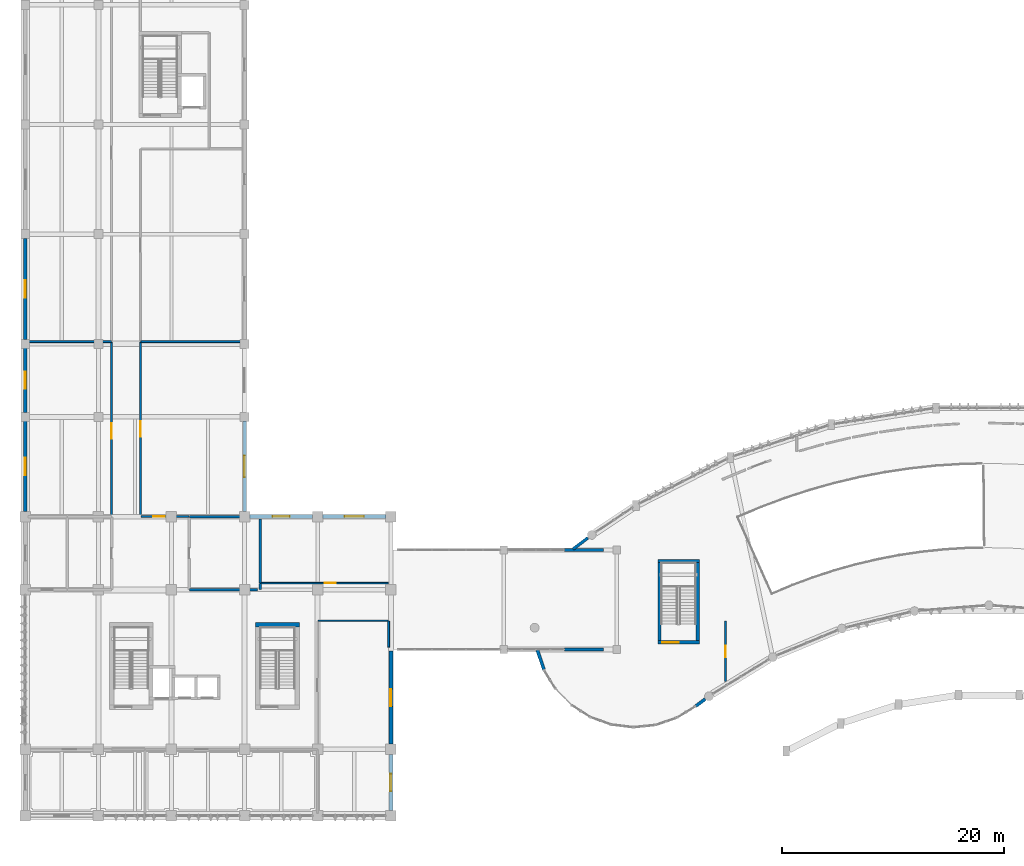
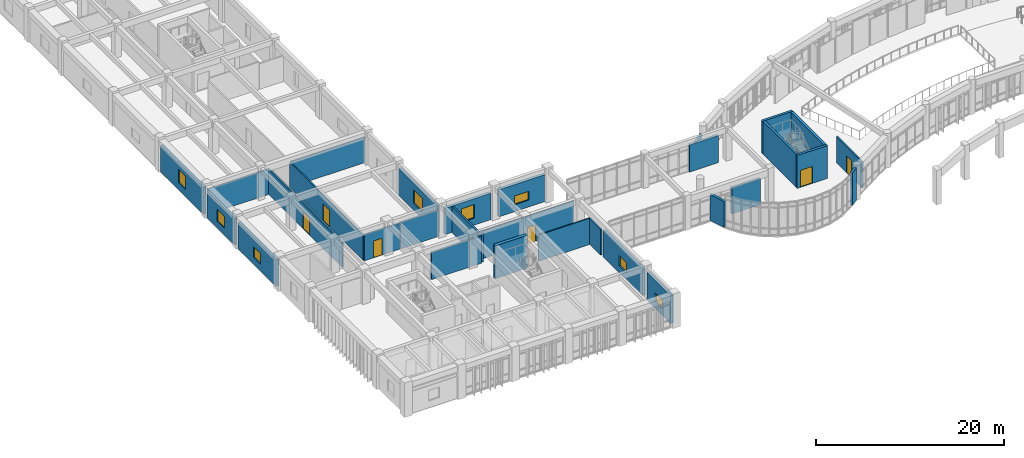
# One storey, part 43 of 57: 31 walls, 8 windows, 6 doors, 14 openings.
"""IFC4 building model written with IfcOpenShell, lengths in metres."""

from ifc_helpers import new_model, si_unit, direction, frame, frame_2d, origin, place, context, subcontext, project, spatial, rectangle, extrude, material, layer, layer_set, type_object, element, fill, save


model = new_model("IFC4")

# Units and contexts
model_context = context("Model", 3, precision=1e-05, world=origin(), true_north=direction((0.0, 1.0)))
body_context = subcontext(model_context, "Body", "Model", "MODEL_VIEW")
ifc_project = project(units=[si_unit("LENGTHUNIT", "METRE"), si_unit("AREAUNIT", "SQUARE_METRE"), si_unit("VOLUMEUNIT", "CUBIC_METRE"), si_unit("PLANEANGLEUNIT", "RADIAN"), si_unit("MASSUNIT", "GRAM", prefix="KILO")], contexts=[model_context])

# Site, building, storey
site_placement = place(None, origin())
site = spatial("IfcSite", under=ifc_project, at=site_placement, CompositionType="ELEMENT")
building_placement = place(site_placement, origin())
building = spatial("IfcBuilding", under=site, at=building_placement, Name="Miralva Faculty of Natural Sciences", CompositionType="ELEMENT")
storey_placement = place(building_placement, frame((0.0, 0.0, 15.0)))
storey = spatial("IfcBuildingStorey", under=building, at=storey_placement, Name="L03", CompositionType="ELEMENT", Elevation=15.0)

# Wall
ifc_material_1 = material(Name="Concrete C50/60", Category="concrete")
ifc_layer_1 = layer(ifc_material_1, 0.39990234375, Name="WL-CW01")
ifc_layer_set_1 = layer_set([ifc_layer_1], Name="Concrete C50/60")
wall_type_1 = type_object("IfcWallType", Name="WL-CW01", PredefinedType="SHEAR", material=ifc_layer_set_1)
wall_1_placement = place(storey_placement, frame((23.800048828125, 20.25, 0.0), z_axis=(0.0, 0.0, 1.0), x_axis=(1.0, 0.0, 0.0)))
element("IfcWall", 1, at=wall_1_placement, inside=storey, type_object=wall_type_1, Name="Core C1B shear wall north L03", PredefinedType="SHEAR", context=body_context, shape_type="SweptSolid", body=[
    extrude(rectangle(XDim=3.949951171875, YDim=0.39990234375, at=frame_2d((1.97509765625, 0.0))), origin(), (0.0, 0.0, 1.0), 4.280029296875),
])

# Wall, opening, door
ifc_material_2 = material(Name="Concrete C40/50", Category="concrete")
ifc_layer_2 = layer(ifc_material_2, 0.300048828125, Name="WL-CW03")
ifc_layer_set_2 = layer_set([ifc_layer_2], Name="Concrete C40/50")
wall_type_2 = type_object("IfcWallType", Name="WL-CW03", PredefinedType="SHEAR", material=ifc_layer_set_2)
wall_2_placement = place(storey_placement, frame((60.10009765625, 18.64990234375, 0.0), z_axis=(0.0, 0.0, 1.0), x_axis=(1.0, 0.0, 0.0)))
wall_2 = element("IfcWall", 2, at=wall_2_placement, inside=storey, type_object=wall_type_2, Name="Core C6 shear wall south L03", PredefinedType="SHEAR", context=body_context, shape_type="SweptSolid", body=[
    extrude(rectangle(XDim=3.75, YDim=0.300048828125, at=frame_2d((1.875, 0.0))), origin(), (0.0, 0.0, 1.0), 4.280029296875),
])
opening_1_placement = place(wall_2_placement, frame((0.39990234375, 0.0, 0.0)))
opening_1 = element("IfcOpeningElement", 3, at=opening_1_placement, cuts=wall_2, Name="Opening D-11", PredefinedType="OPENING", context=body_context, shape_type="SweptSolid", body=[
    extrude(rectangle(XDim=1.5, YDim=2.199951171875, at=frame_2d((0.75, 1.10009765625))), frame((0.0, 0.159912109375, 0.0), z_axis=(0.0, -1.0, 0.0), x_axis=(1.0, 0.0, 0.0)), (0.0, 0.0, 1.0), 0.320068359375),
])
ifc_material_3 = material(Name="Galvanised steel", Category="steel")
door_type_1 = type_object("IfcDoorType", Name="DR-DI11", OperationType="DOUBLE_DOOR_SINGLE_SWING", PredefinedType="DOOR", material=ifc_material_3)
door_1_placement = place(opening_1_placement, frame((1.5, 0.0, 0.0), z_axis=(0.0, 0.0, 1.0), x_axis=(-1.0, 0.0, 0.0)))
door_1 = element("IfcDoor", 4, at=door_1_placement, inside=storey, type_object=door_type_1, Name="Protected exit stair door Core C6 L03", OperationType="DOUBLE_DOOR_SINGLE_SWING", OverallHeight=2.199951171875, OverallWidth=1.5, PredefinedType="DOOR", context=body_context, shape_type="SweptSolid", body=[
    extrude(rectangle(XDim=1.5, YDim=2.199951171875, at=frame_2d((0.75, 1.10009765625))), frame((0.0, 0.02490234375, 0.0), z_axis=(0.0, -1.0, 0.0), x_axis=(1.0, 0.0, 0.0)), (0.0, 0.0, 1.0), 0.050048828125),
])
fill(opening_1, door_1)

# Walls
wall_3_placement = place(storey_placement, frame((60.10009765625, 26.0, 0.0), z_axis=(0.0, 0.0, 1.0), x_axis=(1.0, 0.0, 0.0)))
element("IfcWall", 5, at=wall_3_placement, inside=storey, type_object=wall_type_2, Name="Core C6 shear wall north L03", PredefinedType="SHEAR", context=body_context, shape_type="SweptSolid", body=[
    extrude(rectangle(XDim=3.75, YDim=0.300048828125, at=frame_2d((1.875, 0.0))), origin(), (0.0, 0.0, 1.0), 4.280029296875),
])
for number, where, z_axis, x_axis, name in (
    (6, (60.25, 18.800048828125, 0.0), (0.0, 0.0, 1.0), (0.0, 1.0, 0.0), "Core C6 shear wall west L03"),
    (7, (63.699951171875, 18.800048828125, 0.0), (0.0, 0.0, 1.0), (0.0, 1.0, 0.0), "Core C6 shear wall east L03"),
):
    element("IfcWall", number, at=place(storey_placement, frame(where, z_axis=z_axis, x_axis=x_axis)), inside=storey, type_object=wall_type_2, Name=name, PredefinedType="SHEAR", context=body_context, shape_type="SweptSolid", body=[
        extrude(rectangle(XDim=7.050048828125, YDim=0.300048828125, at=frame_2d((3.52490234375, 0.0))), origin(), (0.0, 0.0, 1.0), 4.280029296875),
    ])
ifc_material_4 = material(Name="Gypsum plasterboard")
ifc_layer_3 = layer(ifc_material_4, 0.179931640625, Name="WL-PT02")
ifc_layer_set_3 = layer_set([ifc_layer_3], Name="Gypsum plasterboard")
wall_type_3 = type_object("IfcWallType", Name="WL-PT02", PredefinedType="PARTITIONING", material=ifc_layer_set_3)
wall_4_placement = place(storey_placement, frame((35.800048828125, 18.22998046875, 0.0), z_axis=(0.0, 0.0, 1.0), x_axis=(0.0, 1.0, 0.0)))
element("IfcWall", 8, at=wall_4_placement, inside=storey, type_object=wall_type_3, Name="Interior partition PT-02 L03-327", PredefinedType="PARTITIONING", context=body_context, shape_type="SweptSolid", body=[
    extrude(rectangle(XDim=2.340087890625, YDim=0.179931640625, at=frame_2d((1.169921875, 0.0))), origin(), (0.0, 0.0, 1.0), 3.425048828125),
])

# Wall, opening, door
wall_5_placement = place(storey_placement, frame((13.429931640625, 30.0, 0.0), z_axis=(0.0, 0.0, 1.0), x_axis=(1.0, 0.0, 0.0)))
wall_5 = element("IfcWall", 9, at=wall_5_placement, inside=storey, type_object=wall_type_3, Name="Interior partition PT-02 L03-340", PredefinedType="PARTITIONING", context=body_context, shape_type="SweptSolid", body=[
    extrude(rectangle(XDim=4.340087890625, YDim=0.179931640625, at=frame_2d((2.169921875, 0.0))), origin(), (0.0, 0.0, 1.0), 3.39501953125),
])
opening_2_placement = place(wall_5_placement, frame((1.10498046875, 0.0, 0.0)))
opening_2 = element("IfcOpeningElement", 10, at=opening_2_placement, cuts=wall_5, Name="Opening D-15", PredefinedType="OPENING", context=body_context, shape_type="SweptSolid", body=[
    extrude(rectangle(XDim=1.050048828125, YDim=2.199951171875, at=frame_2d((0.52490234375, 1.10009765625))), frame((0.0, 0.099853515625, 0.0), z_axis=(0.0, -1.0, 0.0), x_axis=(1.0, 0.0, 0.0)), (0.0, 0.0, 1.0), 0.199951171875),
])
door_type_2 = type_object("IfcDoorType", Name="DR-DI15", OperationType="NOTDEFINED", PredefinedType="DOOR", material=ifc_material_3)
door_2_placement = place(opening_2_placement, origin())
door_2 = element("IfcDoor", 11, at=door_2_placement, inside=storey, type_object=door_type_2, Name="Interior door D-15 L03-127", OperationType="SINGLE_SWING_RIGHT", OverallHeight=2.199951171875, OverallWidth=1.050048828125, PredefinedType="DOOR", context=body_context, shape_type="SweptSolid", body=[
    extrude(rectangle(XDim=1.050048828125, YDim=2.199951171875, at=frame_2d((0.52490234375, 1.10009765625))), frame((0.0, 0.02490234375, 0.0), z_axis=(0.0, -1.0, 0.0), x_axis=(1.0, 0.0, 0.0)), (0.0, 0.0, 1.0), 0.050048828125),
])
fill(opening_2, door_2)

wall_6_placement = place(storey_placement, frame((66.199951171875, 15.104736328125, 0.0), z_axis=(0.0, 0.0, 1.0), x_axis=(0.0, 1.0, 0.0)))
wall_6 = element("IfcWall", 12, at=wall_6_placement, inside=storey, type_object=wall_type_3, Name="Interior partition PT-02 L03-361", PredefinedType="PARTITIONING", context=body_context, shape_type="SweptSolid", body=[
    extrude(rectangle(XDim=5.46533203125, YDim=0.179931640625, at=frame_2d((2.732666015625, 0.0))), origin(), (0.0, 0.0, 1.0), 3.405029296875),
])
opening_3_placement = place(wall_6_placement, frame((2.20751953125, 0.0, 0.0)))
opening_3 = element("IfcOpeningElement", 13, at=opening_3_placement, cuts=wall_6, Name="Opening D-15", PredefinedType="OPENING", context=body_context, shape_type="SweptSolid", body=[
    extrude(rectangle(XDim=1.050048828125, YDim=2.199951171875, at=frame_2d((0.52490234375, 1.10009765625))), frame((0.0, 0.099853515625, 0.0), z_axis=(0.0, -1.0, 0.0), x_axis=(1.0, 0.0, 0.0)), (0.0, 0.0, 1.0), 0.199951171875),
])
door_3_placement = place(opening_3_placement, origin())
door_3 = element("IfcDoor", 14, at=door_3_placement, inside=storey, type_object=door_type_2, Name="Interior door D-15 L03-129", OperationType="SINGLE_SWING_RIGHT", OverallHeight=2.199951171875, OverallWidth=1.050048828125, PredefinedType="DOOR", context=body_context, shape_type="SweptSolid", body=[
    extrude(rectangle(XDim=1.050048828125, YDim=2.199951171875, at=frame_2d((0.52490234375, 1.10009765625))), frame((0.0, 0.02490234375, 0.0), z_axis=(0.0, -1.0, 0.0), x_axis=(1.0, 0.0, 0.0)), (0.0, 0.0, 1.0), 0.050048828125),
])
fill(opening_3, door_3)

# Wall
wall_7_placement = place(storey_placement, frame((3.22998046875, 45.800048828125, 0.0), z_axis=(0.0, 0.0, 1.0), x_axis=(1.0, 0.0, 0.0)))
element("IfcWall", 15, at=wall_7_placement, inside=storey, type_object=wall_type_3, Name="Interior partition PT-02 L03-382", PredefinedType="PARTITIONING", context=body_context, shape_type="SweptSolid", body=[
    extrude(rectangle(XDim=7.5400390625, YDim=0.179931640625, at=frame_2d((3.77001953125, 0.0))), origin(), (0.0, 0.0, 1.0), 3.294921875),
])

# Wall, opening, door
wall_8_placement = place(storey_placement, frame((10.800048828125, 30.030029296875, 0.0), z_axis=(0.0, 0.0, 1.0), x_axis=(0.0, 1.0, 0.0)))
wall_8 = element("IfcWall", 16, at=wall_8_placement, inside=storey, type_object=wall_type_3, Name="Interior partition PT-02 L03-383", PredefinedType="PARTITIONING", context=body_context, shape_type="SweptSolid", body=[
    extrude(rectangle(XDim=15.739990234375, YDim=0.179931640625, at=frame_2d((7.8701171875, 0.0))), origin(), (0.0, 0.0, 1.0), 3.294921875),
])
opening_4_placement = place(wall_8_placement, frame((6.989990234375, 0.0, 0.0)))
opening_4 = element("IfcOpeningElement", 17, at=opening_4_placement, cuts=wall_8, Name="Opening D-14", PredefinedType="OPENING", context=body_context, shape_type="SweptSolid", body=[
    extrude(rectangle(XDim=1.39990234375, YDim=2.199951171875, at=frame_2d((0.699951171875, 1.10009765625))), frame((0.0, 0.099853515625, 0.0), z_axis=(0.0, -1.0, 0.0), x_axis=(1.0, 0.0, 0.0)), (0.0, 0.0, 1.0), 0.199951171875),
])
door_type_3 = type_object("IfcDoorType", Name="DR-DI14", OperationType="DOUBLE_DOOR_SINGLE_SWING", PredefinedType="DOOR", material=ifc_material_3)
door_4_placement = place(opening_4_placement, origin())
door_4 = element("IfcDoor", 18, at=door_4_placement, inside=storey, type_object=door_type_3, Name="Interior door D-14 L03-141", OperationType="DOUBLE_DOOR_SINGLE_SWING", OverallHeight=2.199951171875, OverallWidth=1.39990234375, PredefinedType="DOOR", context=body_context, shape_type="SweptSolid", body=[
    extrude(rectangle(XDim=1.39990234375, YDim=2.199951171875, at=frame_2d((0.699951171875, 1.10009765625))), frame((0.0, 0.02490234375, 0.0), z_axis=(0.0, -1.0, 0.0), x_axis=(1.0, 0.0, 0.0)), (0.0, 0.0, 1.0), 0.050048828125),
])
fill(opening_4, door_4)

# Wall
wall_9_placement = place(storey_placement, frame((13.429931640625, 45.800048828125, 0.0), z_axis=(0.0, 0.0, 1.0), x_axis=(1.0, 0.0, 0.0)))
element("IfcWall", 19, at=wall_9_placement, inside=storey, type_object=wall_type_3, Name="Interior partition PT-02 L03-384", PredefinedType="PARTITIONING", context=body_context, shape_type="SweptSolid", body=[
    extrude(rectangle(XDim=9.14013671875, YDim=0.179931640625, at=frame_2d((4.570068359375, 0.0))), origin(), (0.0, 0.0, 1.0), 3.294921875),
])

# Wall, opening, door
wall_10_placement = place(storey_placement, frame((13.39990234375, 30.030029296875, 0.0), z_axis=(0.0, 0.0, 1.0), x_axis=(0.0, 1.0, 0.0)))
wall_10 = element("IfcWall", 20, at=wall_10_placement, inside=storey, type_object=wall_type_3, Name="Interior partition PT-02 L03-385", PredefinedType="PARTITIONING", context=body_context, shape_type="SweptSolid", body=[
    extrude(rectangle(XDim=15.739990234375, YDim=0.179931640625, at=frame_2d((7.8701171875, 0.0))), origin(), (0.0, 0.0, 1.0), 3.294921875),
])
opening_5_placement = place(wall_10_placement, frame((7.169921875, 0.0, 0.0)))
opening_5 = element("IfcOpeningElement", 21, at=opening_5_placement, cuts=wall_10, Name="Opening D-14", PredefinedType="OPENING", context=body_context, shape_type="SweptSolid", body=[
    extrude(rectangle(XDim=1.39990234375, YDim=2.199951171875, at=frame_2d((0.699951171875, 1.10009765625))), frame((0.0, 0.099853515625, 0.0), z_axis=(0.0, -1.0, 0.0), x_axis=(1.0, 0.0, 0.0)), (0.0, 0.0, 1.0), 0.199951171875),
])
door_5_placement = place(opening_5_placement, origin())
door_5 = element("IfcDoor", 22, at=door_5_placement, inside=storey, type_object=door_type_3, Name="Interior door D-14 L03-142", OperationType="DOUBLE_DOOR_SINGLE_SWING", OverallHeight=2.199951171875, OverallWidth=1.39990234375, PredefinedType="DOOR", context=body_context, shape_type="SweptSolid", body=[
    extrude(rectangle(XDim=1.39990234375, YDim=2.199951171875, at=frame_2d((0.699951171875, 1.10009765625))), frame((0.0, 0.02490234375, 0.0), z_axis=(0.0, -1.0, 0.0), x_axis=(1.0, 0.0, 0.0)), (0.0, 0.0, 1.0), 0.050048828125),
])
fill(opening_5, door_5)

# Wall
ifc_layer_4 = layer(ifc_material_4, 0.125, Name="WL-PT05")
ifc_layer_set_4 = layer_set([ifc_layer_4], Name="Gypsum plasterboard")
wall_type_4 = type_object("IfcWallType", Name="WL-PT05", PredefinedType="PARTITIONING", material=ifc_layer_set_4)
wall_11_placement = place(storey_placement, frame((29.429931640625, 20.60009765625, 0.0), z_axis=(0.0, 0.0, 1.0), x_axis=(1.0, 0.0, 0.0)))
element("IfcWall", 23, at=wall_11_placement, inside=storey, type_object=wall_type_4, Name="Interior partition PT-05 L03-326", PredefinedType="PARTITIONING", context=body_context, shape_type="SweptSolid", body=[
    extrude(rectangle(XDim=6.340087890625, YDim=0.125, at=frame_2d((3.169921875, 0.0))), origin(), (0.0, 0.0, 1.0), 3.425048828125),
])

# Wall, opening, door
wall_12_placement = place(storey_placement, frame((24.22998046875, 24.0, 0.0), z_axis=(0.0, 0.0, 1.0), x_axis=(1.0, 0.0, 0.0)))
wall_12 = element("IfcWall", 24, at=wall_12_placement, inside=storey, type_object=wall_type_4, Name="Interior partition PT-05 L03-339", PredefinedType="PARTITIONING", context=body_context, shape_type="SweptSolid", body=[
    extrude(rectangle(XDim=11.5400390625, YDim=0.125, at=frame_2d((5.77001953125, 0.0))), origin(), (0.0, 0.0, 1.0), 3.60498046875),
])
opening_6_placement = place(wall_12_placement, frame((5.81005859375, 0.0, 0.0)))
opening_6 = element("IfcOpeningElement", 25, at=opening_6_placement, cuts=wall_12, Name="Opening D-25", PredefinedType="OPENING", context=body_context, shape_type="SweptSolid", body=[
    extrude(rectangle(XDim=1.0, YDim=2.14990234375, at=frame_2d((0.5, 1.074951171875))), frame((0.0, 0.072509765625, 0.0), z_axis=(0.0, -1.0, 0.0), x_axis=(1.0, 0.0, 0.0)), (0.0, 0.0, 1.0), 0.14501953125),
])
ifc_material_5 = material(Name="Anodised aluminium", Category="aluminium")
door_type_4 = type_object("IfcDoorType", Name="DR-DI25", OperationType="NOTDEFINED", PredefinedType="DOOR", material=ifc_material_5)
door_6_placement = place(opening_6_placement, origin())
door_6 = element("IfcDoor", 26, at=door_6_placement, inside=storey, type_object=door_type_4, Name="Interior door D-25 L03-126", OperationType="SINGLE_SWING_LEFT", OverallHeight=2.14990234375, OverallWidth=1.0, PredefinedType="DOOR", context=body_context, shape_type="SweptSolid", body=[
    extrude(rectangle(XDim=1.0, YDim=2.14990234375, at=frame_2d((0.5, 1.074951171875))), frame((0.0, 0.02490234375, 0.0), z_axis=(0.0, -1.0, 0.0), x_axis=(1.0, 0.0, 0.0)), (0.0, 0.0, 1.0), 0.050048828125),
])
fill(opening_6, door_6)

# Walls
ifc_layer_5 = layer(ifc_material_4, 0.2099609375, Name="WL-PT06")
ifc_layer_set_5 = layer_set([ifc_layer_5], Name="Gypsum plasterboard")
wall_type_5 = type_object("IfcWallType", Name="WL-PT06", PredefinedType="PLUMBINGWALL", material=ifc_layer_set_5)
wall_13_placement = place(storey_placement, frame((24.199951171875, 24.030029296875, 0.0), z_axis=(0.0, 0.0, 1.0), x_axis=(0.0, 1.0, 0.0)))
element("IfcWall", 27, at=wall_13_placement, inside=storey, type_object=wall_type_5, Name="Interior partition PT-06 L03-334", PredefinedType="PLUMBINGWALL", context=body_context, shape_type="SweptSolid", body=[
    extrude(rectangle(XDim=5.739990234375, YDim=0.2099609375, at=frame_2d((2.8701171875, 0.0))), origin(), (0.0, 0.0, 1.0), 3.43505859375),
])
wall_14_placement = place(storey_placement, frame((24.199951171875, 23.429931640625, 0.0), z_axis=(0.0, 0.0, 1.0), x_axis=(0.0, 1.0, 0.0)))
element("IfcWall", 28, at=wall_14_placement, inside=storey, type_object=wall_type_5, Name="Interior partition PT-06 L03-335", PredefinedType="PLUMBINGWALL", context=body_context, shape_type="SweptSolid", body=[
    extrude(rectangle(XDim=0.5400390625, YDim=0.2099609375, at=frame_2d((0.27001953125, 0.0))), origin(), (0.0, 0.0, 1.0), 3.7548828125),
])
wall_15_placement = place(storey_placement, frame((17.830078125, 23.39990234375, 0.0), z_axis=(0.0, 0.0, 1.0), x_axis=(1.0, 0.0, 0.0)))
element("IfcWall", 29, at=wall_15_placement, inside=storey, type_object=wall_type_5, Name="Interior partition PT-06 L03-337", PredefinedType="PLUMBINGWALL", context=body_context, shape_type="SweptSolid", body=[
    extrude(rectangle(XDim=6.139892578125, YDim=0.2099609375, at=frame_2d((3.06982421875, 0.0))), origin(), (0.0, 0.0, 1.0), 3.52490234375),
])
wall_16_placement = place(storey_placement, frame((17.830078125, 30.0, 0.0), z_axis=(0.0, 0.0, 1.0), x_axis=(1.0, 0.0, 0.0)))
element("IfcWall", 30, at=wall_16_placement, inside=storey, type_object=wall_type_5, Name="Interior partition PT-06 L03-338", PredefinedType="PLUMBINGWALL", context=body_context, shape_type="SweptSolid", body=[
    extrude(rectangle(XDim=4.739990234375, YDim=0.2099609375, at=frame_2d((2.3701171875, 0.0))), origin(), (0.0, 0.0, 1.0), 3.425048828125),
])

# Wall, opening, window
ifc_material_6 = material(Name="Volcanic tuff architectural stone", Category="masonry")
ifc_layer_6 = layer(ifc_material_6, 0.360107421875, Name="WL-WT01")
ifc_layer_set_6 = layer_set([ifc_layer_6], Name="Volcanic tuff architectural stone")
wall_type_6 = type_object("IfcWallType", Name="WL-WT01", PredefinedType="SOLIDWALL", material=ifc_layer_set_6)
wall_17_placement = place(storey_placement, frame((36.0, 3.465087890625, 0.0), z_axis=(0.0, 0.0, 1.0), x_axis=(0.0, 1.0, 0.0)))
wall_17 = element("IfcWall", 31, at=wall_17_placement, inside=storey, type_object=wall_type_6, Name="Exterior wall L03-87", PredefinedType="SOLIDWALL", context=body_context, shape_type="SweptSolid", body=[
    extrude(rectangle(XDim=5.06982421875, YDim=0.360107421875, at=frame_2d((2.534912109375, 0.0))), origin(), (0.0, 0.0, 1.0), 3.625),
])
opening_7_placement = place(wall_17_placement, frame((1.760009765625, 0.0, 0.89990234375)))
opening_7 = element("IfcOpeningElement", 32, at=opening_7_placement, cuts=wall_17, Name="Opening W-57", PredefinedType="OPENING", context=body_context, shape_type="SweptSolid", body=[
    extrude(rectangle(XDim=1.550048828125, YDim=1.14990234375, at=frame_2d((0.77490234375, 0.574951171875))), frame((0.0, 0.18994140625, 0.0), z_axis=(0.0, -1.0, 0.0), x_axis=(1.0, 0.0, 0.0)), (0.0, 0.0, 1.0), 0.380126953125),
])
ifc_material_7 = material(Name="Laminated solar-control glass", Category="glass")
window_type_1 = type_object("IfcWindowType", Name="WN-W57", PartitioningType="DOUBLE_PANEL_VERTICAL", PredefinedType="WINDOW", material=ifc_material_7)
window_1_placement = place(opening_7_placement, frame((1.550048828125, 0.0, 0.0), z_axis=(0.0, 0.0, 1.0), x_axis=(-1.0, 0.0, 0.0)))
window_1 = element("IfcWindow", 33, at=window_1_placement, inside=storey, type_object=window_type_1, Name="Window W-57 L03-33", OverallHeight=1.14990234375, OverallWidth=1.550048828125, PartitioningType="DOUBLE_PANEL_VERTICAL", PredefinedType="WINDOW", context=body_context, shape_type="SweptSolid", body=[
    extrude(rectangle(XDim=1.550048828125, YDim=1.14990234375, at=frame_2d((0.77490234375, 0.574951171875))), frame((0.0, 0.030029296875, 0.0), z_axis=(0.0, -1.0, 0.0), x_axis=(1.0, 0.0, 0.0)), (0.0, 0.0, 1.0), 0.06005859375),
])
fill(opening_7, window_1)

wall_18_placement = place(storey_placement, frame((36.0, 9.465087890625, 0.0), z_axis=(0.0, 0.0, 1.0), x_axis=(0.0, 1.0, 0.0)))
wall_18 = element("IfcWall", 34, at=wall_18_placement, inside=storey, type_object=wall_type_6, Name="Exterior wall L03-88", PredefinedType="SOLIDWALL", context=body_context, shape_type="SweptSolid", body=[
    extrude(rectangle(XDim=8.385009765625, YDim=0.360107421875, at=frame_2d((4.1923828125, 0.0))), origin(), (0.0, 0.0, 1.0), 3.425048828125),
])
opening_8_placement = place(wall_18_placement, frame((3.41748046875, 0.0, 0.89990234375)))
opening_8 = element("IfcOpeningElement", 35, at=opening_8_placement, cuts=wall_18, Name="Opening W-58", PredefinedType="OPENING", context=body_context, shape_type="SweptSolid", body=[
    extrude(rectangle(XDim=1.550048828125, YDim=1.35009765625, at=frame_2d((0.77490234375, 0.675048828125))), frame((0.0, 0.18994140625, 0.0), z_axis=(0.0, -1.0, 0.0), x_axis=(1.0, 0.0, 0.0)), (0.0, 0.0, 1.0), 0.380126953125),
])
window_type_2 = type_object("IfcWindowType", Name="WN-W58", PartitioningType="DOUBLE_PANEL_VERTICAL", PredefinedType="WINDOW", material=ifc_material_7)
window_2_placement = place(opening_8_placement, frame((1.550048828125, 0.0, 0.0), z_axis=(0.0, 0.0, 1.0), x_axis=(-1.0, 0.0, 0.0)))
window_2 = element("IfcWindow", 36, at=window_2_placement, inside=storey, type_object=window_type_2, Name="Window W-58 L03-34", OverallHeight=1.35009765625, OverallWidth=1.550048828125, PartitioningType="DOUBLE_PANEL_VERTICAL", PredefinedType="WINDOW", context=body_context, shape_type="SweptSolid", body=[
    extrude(rectangle(XDim=1.550048828125, YDim=1.35009765625, at=frame_2d((0.77490234375, 0.675048828125))), frame((0.0, 0.030029296875, 0.0), z_axis=(0.0, -1.0, 0.0), x_axis=(1.0, 0.0, 0.0)), (0.0, 0.0, 1.0), 0.06005859375),
])
fill(opening_8, window_2)

wall_19_placement = place(storey_placement, frame((23.2548828125, 30.0, 0.0), z_axis=(0.0, 0.0, 1.0), x_axis=(1.0, 0.0, 0.0)))
wall_19 = element("IfcWall", 37, at=wall_19_placement, inside=storey, type_object=wall_type_6, Name="Exterior wall L03-89", PredefinedType="SOLIDWALL", context=body_context, shape_type="SweptSolid", body=[
    extrude(rectangle(XDim=5.68017578125, YDim=0.360107421875, at=frame_2d((2.840087890625, 0.0))), origin(), (0.0, 0.0, 1.0), 3.43505859375),
])
opening_9_placement = place(wall_19_placement, frame((2.06494140625, 0.0, 0.89990234375)))
opening_9 = element("IfcOpeningElement", 38, at=opening_9_placement, cuts=wall_19, Name="Opening W-60", PredefinedType="OPENING", context=body_context, shape_type="SweptSolid", body=[
    extrude(rectangle(XDim=1.550048828125, YDim=1.75, at=frame_2d((0.77490234375, 0.875))), frame((0.0, 0.18994140625, 0.0), z_axis=(0.0, -1.0, 0.0), x_axis=(1.0, 0.0, 0.0)), (0.0, 0.0, 1.0), 0.380126953125),
])
window_type_3 = type_object("IfcWindowType", Name="WN-W60", PartitioningType="DOUBLE_PANEL_VERTICAL", PredefinedType="WINDOW", material=ifc_material_7)
window_3_placement = place(opening_9_placement, origin())
window_3 = element("IfcWindow", 39, at=window_3_placement, inside=storey, type_object=window_type_3, Name="Window W-60 L03-35", OverallHeight=1.75, OverallWidth=1.550048828125, PartitioningType="DOUBLE_PANEL_VERTICAL", PredefinedType="WINDOW", context=body_context, shape_type="SweptSolid", body=[
    extrude(rectangle(XDim=1.550048828125, YDim=1.75, at=frame_2d((0.77490234375, 0.875))), frame((0.0, 0.030029296875, 0.0), z_axis=(0.0, -1.0, 0.0), x_axis=(1.0, 0.0, 0.0)), (0.0, 0.0, 1.0), 0.06005859375),
])
fill(opening_9, window_3)

wall_20_placement = place(storey_placement, frame((29.85498046875, 30.0, 0.0), z_axis=(0.0, 0.0, 1.0), x_axis=(1.0, 0.0, 0.0)))
wall_20 = element("IfcWall", 40, at=wall_20_placement, inside=storey, type_object=wall_type_6, Name="Exterior wall L03-90", PredefinedType="SOLIDWALL", context=body_context, shape_type="SweptSolid", body=[
    extrude(rectangle(XDim=5.68994140625, YDim=0.360107421875, at=frame_2d((2.844970703125, 0.0))), origin(), (0.0, 0.0, 1.0), 3.52490234375),
])
opening_10_placement = place(wall_20_placement, frame((1.969970703125, 0.0, 0.89990234375)))
opening_10 = element("IfcOpeningElement", 41, at=opening_10_placement, cuts=wall_20, Name="Opening W-61", PredefinedType="OPENING", context=body_context, shape_type="SweptSolid", body=[
    extrude(rectangle(XDim=1.75, YDim=1.14990234375, at=frame_2d((0.875, 0.574951171875))), frame((0.0, 0.18994140625, 0.0), z_axis=(0.0, -1.0, 0.0), x_axis=(1.0, 0.0, 0.0)), (0.0, 0.0, 1.0), 0.380126953125),
])
window_type_4 = type_object("IfcWindowType", Name="WN-W61", PartitioningType="DOUBLE_PANEL_VERTICAL", PredefinedType="WINDOW", material=ifc_material_7)
window_4_placement = place(opening_10_placement, origin())
window_4 = element("IfcWindow", 42, at=window_4_placement, inside=storey, type_object=window_type_4, Name="Window W-61 L03-36", OverallHeight=1.14990234375, OverallWidth=1.75, PartitioningType="DOUBLE_PANEL_VERTICAL", PredefinedType="WINDOW", context=body_context, shape_type="SweptSolid", body=[
    extrude(rectangle(XDim=1.75, YDim=1.14990234375, at=frame_2d((0.875, 0.574951171875))), frame((0.0, 0.030029296875, 0.0), z_axis=(0.0, -1.0, 0.0), x_axis=(1.0, 0.0, 0.0)), (0.0, 0.0, 1.0), 0.06005859375),
])
fill(opening_10, window_4)

ifc_material_8 = material(Name="Precast concrete C40/50", Category="concrete")
ifc_layer_7 = layer(ifc_material_8, 0.320068359375, Name="WL-WT02")
ifc_layer_set_7 = layer_set([ifc_layer_7], Name="Precast concrete C40/50")
wall_type_7 = type_object("IfcWallType", Name="WL-WT02", PredefinedType="SOLIDWALL", material=ifc_layer_set_7)
wall_21_placement = place(storey_placement, frame((3.0, 30.455078125, 0.0), z_axis=(0.0, 0.0, 1.0), x_axis=(0.0, 1.0, 0.0)))
wall_21 = element("IfcWall", 43, at=wall_21_placement, inside=storey, type_object=wall_type_7, Name="Exterior wall L03-233", PredefinedType="SOLIDWALL", context=body_context, shape_type="SweptSolid", body=[
    extrude(rectangle(XDim=8.159912109375, YDim=0.320068359375, at=frame_2d((4.080078125, 0.0))), origin(), (0.0, 0.0, 1.0), 3.47509765625),
])
opening_11_placement = place(wall_21_placement, frame((3.304931640625, 0.0, 0.89990234375)))
opening_11 = element("IfcOpeningElement", 44, at=opening_11_placement, cuts=wall_21, Name="Opening W-58", PredefinedType="OPENING", context=body_context, shape_type="SweptSolid", body=[
    extrude(rectangle(XDim=1.550048828125, YDim=1.35009765625, at=frame_2d((0.77490234375, 0.675048828125))), frame((0.0, 0.169921875, 0.0), z_axis=(0.0, -1.0, 0.0), x_axis=(1.0, 0.0, 0.0)), (0.0, 0.0, 1.0), 0.340087890625),
])
window_5_placement = place(opening_11_placement, origin())
window_5 = element("IfcWindow", 45, at=window_5_placement, inside=storey, type_object=window_type_2, Name="Window W-58 L03-170", OverallHeight=1.35009765625, OverallWidth=1.550048828125, PartitioningType="DOUBLE_PANEL_VERTICAL", PredefinedType="WINDOW", context=body_context, shape_type="SweptSolid", body=[
    extrude(rectangle(XDim=1.550048828125, YDim=1.35009765625, at=frame_2d((0.77490234375, 0.675048828125))), frame((0.0, 0.030029296875, 0.0), z_axis=(0.0, -1.0, 0.0), x_axis=(1.0, 0.0, 0.0)), (0.0, 0.0, 1.0), 0.06005859375),
])
fill(opening_11, window_5)

wall_22_placement = place(storey_placement, frame((3.0, 39.385009765625, 0.0), z_axis=(0.0, 0.0, 1.0), x_axis=(0.0, 1.0, 0.0)))
wall_22 = element("IfcWall", 46, at=wall_22_placement, inside=storey, type_object=wall_type_7, Name="Exterior wall L03-234", PredefinedType="SOLIDWALL", context=body_context, shape_type="SweptSolid", body=[
    extrude(rectangle(XDim=5.830078125, YDim=0.320068359375, at=frame_2d((2.9150390625, 0.0))), origin(), (0.0, 0.0, 1.0), 3.47509765625),
])
opening_12_placement = place(wall_22_placement, frame((2.139892578125, 0.0, 0.89990234375)))
opening_12 = element("IfcOpeningElement", 47, at=opening_12_placement, cuts=wall_22, Name="Opening W-59", PredefinedType="OPENING", context=body_context, shape_type="SweptSolid", body=[
    extrude(rectangle(XDim=1.550048828125, YDim=1.550048828125, at=frame_2d((0.77490234375, 0.77490234375))), frame((0.0, 0.169921875, 0.0), z_axis=(0.0, -1.0, 0.0), x_axis=(1.0, 0.0, 0.0)), (0.0, 0.0, 1.0), 0.340087890625),
])
window_type_5 = type_object("IfcWindowType", Name="WN-W59", PartitioningType="DOUBLE_PANEL_VERTICAL", PredefinedType="WINDOW", material=ifc_material_7)
window_6_placement = place(opening_12_placement, origin())
window_6 = element("IfcWindow", 48, at=window_6_placement, inside=storey, type_object=window_type_5, Name="Window W-59 L03-171", OverallHeight=1.550048828125, OverallWidth=1.550048828125, PartitioningType="DOUBLE_PANEL_VERTICAL", PredefinedType="WINDOW", context=body_context, shape_type="SweptSolid", body=[
    extrude(rectangle(XDim=1.550048828125, YDim=1.550048828125, at=frame_2d((0.77490234375, 0.77490234375))), frame((0.0, 0.030029296875, 0.0), z_axis=(0.0, -1.0, 0.0), x_axis=(1.0, 0.0, 0.0)), (0.0, 0.0, 1.0), 0.06005859375),
])
fill(opening_12, window_6)

wall_23_placement = place(storey_placement, frame((3.0, 45.985107421875, 0.0), z_axis=(0.0, 0.0, 1.0), x_axis=(0.0, 1.0, 0.0)))
wall_23 = element("IfcWall", 49, at=wall_23_placement, inside=storey, type_object=wall_type_7, Name="Exterior wall L03-235", PredefinedType="SOLIDWALL", context=body_context, shape_type="SweptSolid", body=[
    extrude(rectangle(XDim=9.1298828125, YDim=0.320068359375, at=frame_2d((4.56494140625, 0.0))), origin(), (0.0, 0.0, 1.0), 3.47509765625),
])
opening_13_placement = place(wall_23_placement, frame((3.7900390625, 0.0, 0.89990234375)))
opening_13 = element("IfcOpeningElement", 50, at=opening_13_placement, cuts=wall_23, Name="Opening W-60", PredefinedType="OPENING", context=body_context, shape_type="SweptSolid", body=[
    extrude(rectangle(XDim=1.550048828125, YDim=1.75, at=frame_2d((0.77490234375, 0.875))), frame((0.0, 0.169921875, 0.0), z_axis=(0.0, -1.0, 0.0), x_axis=(1.0, 0.0, 0.0)), (0.0, 0.0, 1.0), 0.340087890625),
])
window_7_placement = place(opening_13_placement, origin())
window_7 = element("IfcWindow", 51, at=window_7_placement, inside=storey, type_object=window_type_3, Name="Window W-60 L03-172", OverallHeight=1.75, OverallWidth=1.550048828125, PartitioningType="DOUBLE_PANEL_VERTICAL", PredefinedType="WINDOW", context=body_context, shape_type="SweptSolid", body=[
    extrude(rectangle(XDim=1.550048828125, YDim=1.75, at=frame_2d((0.77490234375, 0.875))), frame((0.0, 0.030029296875, 0.0), z_axis=(0.0, -1.0, 0.0), x_axis=(1.0, 0.0, 0.0)), (0.0, 0.0, 1.0), 0.06005859375),
])
fill(opening_13, window_7)

wall_24_placement = place(storey_placement, frame((22.800048828125, 30.455078125, 0.0), z_axis=(0.0, 0.0, 1.0), x_axis=(0.0, 1.0, 0.0)))
wall_24 = element("IfcWall", 52, at=wall_24_placement, inside=storey, type_object=wall_type_7, Name="Exterior wall L03-243", PredefinedType="SOLIDWALL", context=body_context, shape_type="SweptSolid", body=[
    extrude(rectangle(XDim=8.159912109375, YDim=0.320068359375, at=frame_2d((4.080078125, 0.0))), origin(), (0.0, 0.0, 1.0), 3.52490234375),
])
opening_14_placement = place(wall_24_placement, frame((3.10498046875, 0.0, 0.89990234375)))
opening_14 = element("IfcOpeningElement", 53, at=opening_14_placement, cuts=wall_24, Name="Opening W-68", PredefinedType="OPENING", context=body_context, shape_type="SweptSolid", body=[
    extrude(rectangle(XDim=1.949951171875, YDim=1.75, at=frame_2d((0.97509765625, 0.875))), frame((0.0, 0.169921875, 0.0), z_axis=(0.0, -1.0, 0.0), x_axis=(1.0, 0.0, 0.0)), (0.0, 0.0, 1.0), 0.340087890625),
])
window_type_6 = type_object("IfcWindowType", Name="WN-W68", PartitioningType="DOUBLE_PANEL_VERTICAL", PredefinedType="WINDOW", material=ifc_material_7)
window_8_placement = place(opening_14_placement, frame((1.949951171875, 0.0, 0.0), z_axis=(0.0, 0.0, 1.0), x_axis=(-1.0, 0.0, 0.0)))
window_8 = element("IfcWindow", 54, at=window_8_placement, inside=storey, type_object=window_type_6, Name="Window W-68 L03-180", OverallHeight=1.75, OverallWidth=1.949951171875, PartitioningType="DOUBLE_PANEL_VERTICAL", PredefinedType="WINDOW", context=body_context, shape_type="SweptSolid", body=[
    extrude(rectangle(XDim=1.949951171875, YDim=1.75, at=frame_2d((0.97509765625, 0.875))), frame((0.0, 0.030029296875, 0.0), z_axis=(0.0, -1.0, 0.0), x_axis=(1.0, 0.0, 0.0)), (0.0, 0.0, 1.0), 0.06005859375),
])
fill(opening_14, window_8)

# Walls
ifc_layer_8 = layer(ifc_material_8, 0.2900390625, Name="WL-WT03")
ifc_layer_set_8 = layer_set([ifc_layer_8], Name="Precast concrete C40/50")
wall_type_8 = type_object("IfcWallType", Name="WL-WT03", PredefinedType="SOLIDWALL", material=ifc_layer_set_8)
wall_25_placement = place(storey_placement, frame((63.526611328125, 12.884521484375, 0.0), z_axis=(0.0, 0.0, 1.0), x_axis=(0.798608971494, 0.601850239387, 0.0)))
element("IfcWall", 55, at=wall_25_placement, inside=storey, type_object=wall_type_8, Name="Exterior wall L03-39", PredefinedType="SOLIDWALL", context=body_context, shape_type="SweptSolid", body=[
    extrude(rectangle(XDim=1.07568359375, YDim=0.2900390625, at=frame_2d((0.537841796875, 0.0))), origin(), (0.0, 0.0, 1.0), 4.25),
])
wall_26_placement = place(storey_placement, frame((49.191650390625, 18.0615234375, 0.0), z_axis=(0.0, 0.0, 1.0), x_axis=(0.32082801478, -0.947137468867, 0.0)))
element("IfcWall", 56, at=wall_26_placement, inside=storey, type_object=wall_type_8, Name="Exterior wall L03-44", PredefinedType="SOLIDWALL", context=body_context, shape_type="SweptSolid", body=[
    extrude(rectangle(XDim=2.020263671875, YDim=0.2900390625, at=frame_2d((1.01025390625, 0.0))), origin(), (0.0, 0.0, 1.0), 3.39501953125),
])
wall_27_placement = place(storey_placement, frame((51.675048828125, 18.0, 0.0), z_axis=(0.0, 0.0, 1.0), x_axis=(1.0, 0.0, 0.0)))
element("IfcWall", 57, at=wall_27_placement, inside=storey, type_object=wall_type_8, Name="Exterior wall L03-363", PredefinedType="SOLIDWALL", context=body_context, shape_type="SweptSolid", body=[
    extrude(rectangle(XDim=3.52490234375, YDim=0.2900390625, at=frame_2d((1.762451171875, 0.0))), origin(), (0.0, 0.0, 1.0), 3.39501953125),
])
wall_28_placement = place(storey_placement, frame((51.675048828125, 27.0, 0.0), z_axis=(0.0, 0.0, 1.0), x_axis=(1.0, 0.0, 0.0)))
element("IfcWall", 58, at=wall_28_placement, inside=storey, type_object=wall_type_8, Name="Exterior wall L03-365", PredefinedType="SOLIDWALL", context=body_context, shape_type="SweptSolid", body=[
    extrude(rectangle(XDim=3.52490234375, YDim=0.2900390625, at=frame_2d((1.762451171875, 0.0))), origin(), (0.0, 0.0, 1.0), 3.534912109375),
])
ifc_layer_9 = layer(ifc_material_6, 0.27001953125, Name="WL-WT04")
ifc_layer_set_9 = layer_set([ifc_layer_9], Name="Volcanic tuff architectural stone")
wall_type_9 = type_object("IfcWallType", Name="WL-WT04", PredefinedType="SOLIDWALL", material=ifc_layer_set_9)
wall_29_placement = place(storey_placement, frame((52.444580078125, 27.068603515625, 0.0), z_axis=(0.0, 0.0, 1.0), x_axis=(0.798641279354, 0.601807366947, 0.0)))
element("IfcWall", 59, at=wall_29_placement, inside=storey, type_object=wall_type_9, Name="Exterior wall L03-41", PredefinedType="SOLIDWALL", context=body_context, shape_type="SweptSolid", body=[
    extrude(rectangle(XDim=1.684326171875, YDim=0.27001953125, at=frame_2d((0.84228515625, 0.0))), origin(), (0.0, 0.0, 1.0), 3.534912109375),
])

save(model, "model.ifc")
